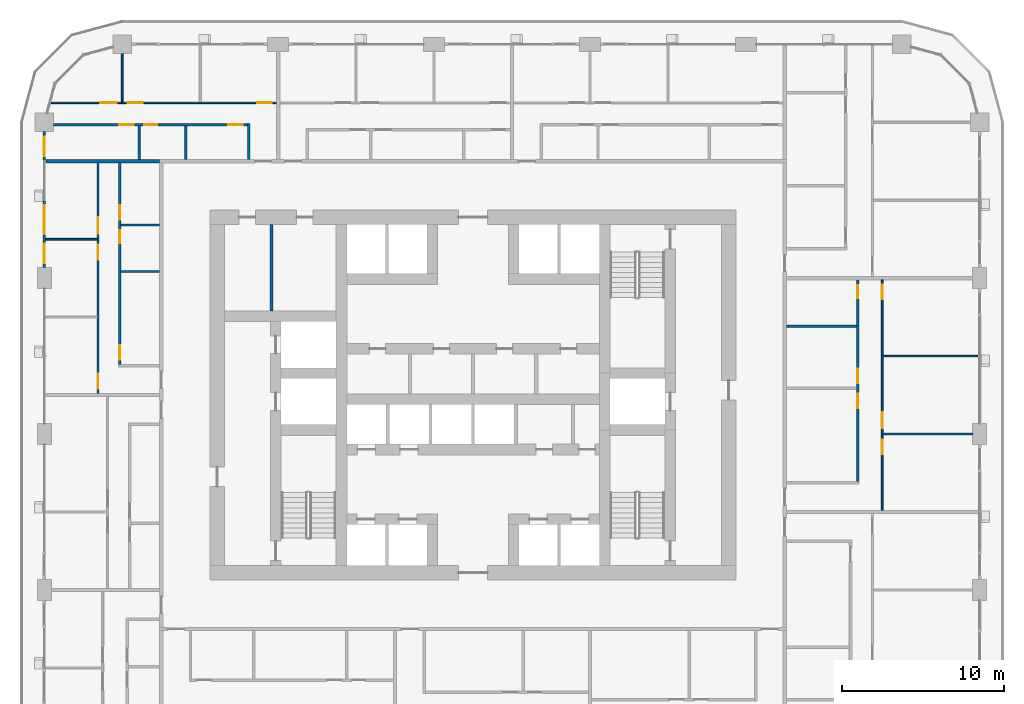
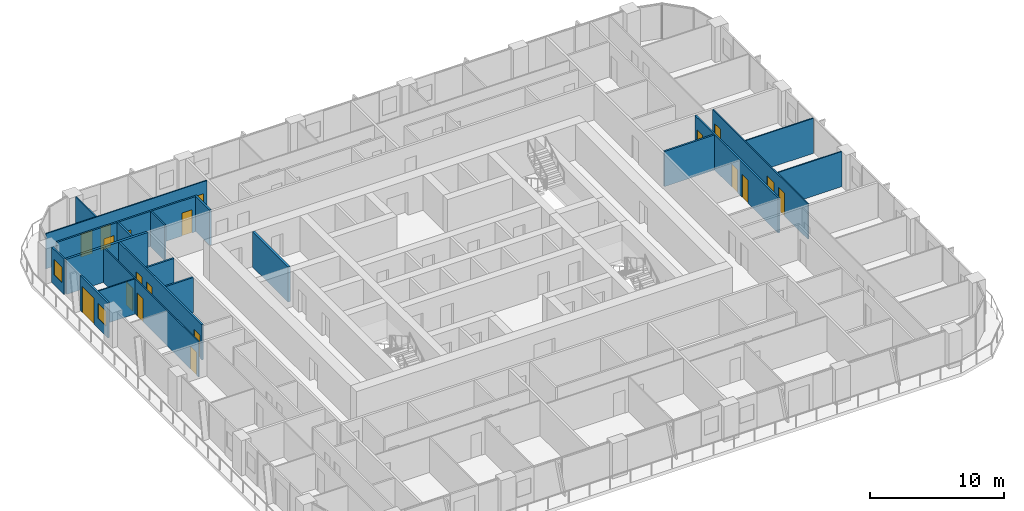
# One storey, part 13 of 22: 20 walls, 19 doors, 2 windows, 21 openings.
"""IFC4 building model written with IfcOpenShell, lengths in metres."""

from ifc_helpers import new_model, si_unit, direction, frame, frame_2d, origin, place, context, subcontext, project, spatial, rectangle, extrude, material, layer, layer_set, type_object, element, fill, save


model = new_model("IFC4")

# Units and contexts
model_context = context("Model", 3, precision=1e-05, world=origin(), true_north=direction((0.0, 1.0)))
body_context = subcontext(model_context, "Body", "Model", "MODEL_VIEW")
ifc_project = project(units=[si_unit("LENGTHUNIT", "METRE"), si_unit("AREAUNIT", "SQUARE_METRE"), si_unit("VOLUMEUNIT", "CUBIC_METRE"), si_unit("PLANEANGLEUNIT", "RADIAN"), si_unit("MASSUNIT", "GRAM", prefix="KILO")], contexts=[model_context])

# Site, building, storey
site_placement = place(None, origin())
site = spatial("IfcSite", under=ifc_project, at=site_placement, CompositionType="ELEMENT")
building_placement = place(site_placement, origin())
building = spatial("IfcBuilding", under=site, at=building_placement, Name="Madar Terraces", CompositionType="ELEMENT")
storey_placement = place(building_placement, frame((0.0, 0.0, 69.800048828125)))
storey = spatial("IfcBuildingStorey", under=building, at=storey_placement, Name="L17", CompositionType="ELEMENT", Elevation=69.800048828125)

# Wall
ifc_material_1 = material(Name="Masonry blockwork", Category="masonry")
ifc_layer_1 = layer(ifc_material_1, 0.199951171875)
ifc_layer_set_1 = layer_set([ifc_layer_1], Name="Core partition 200 blockwork")
wall_type_1 = type_object("IfcWallType", Name="Core partition 200 blockwork", PredefinedType="PARTITIONING", material=ifc_layer_set_1)
wall_1_placement = place(storey_placement, frame((18.78759765625, 31.574951171875, 0.0), z_axis=(0.0, 0.0, 1.0), x_axis=(0.0, 1.0, 0.0)))
element("IfcWall", 1, at=wall_1_placement, inside=storey, type_object=wall_type_1, Name="SERVICE ROOM PARTITION", PredefinedType="PARTITIONING", context=body_context, shape_type="SweptSolid", body=[
    extrude(rectangle(XDim=5.324951171875, YDim=0.199951171875, at=frame_2d((2.66259765625, 0.0))), origin(), (0.0, 0.0, 1.0), 3.199951171875),
])

# Wall, opening, window
ifc_material_2 = material(Name="Aluminium composite panel, black, over insulated backing", Category="aluminium")
ifc_layer_2 = layer(ifc_material_2, 0.14990234375)
ifc_layer_set_2 = layer_set([ifc_layer_2], Name="Facade bay panel 150")
wall_type_2 = type_object("IfcWallType", Name="Facade bay panel 150", PredefinedType="SOLIDWALL", material=ifc_layer_set_2)
wall_2_placement = place(storey_placement, frame((4.800048828125, 42.625, 0.0), z_axis=(0.0, 0.0, 1.0), x_axis=(0.0, -1.0, 0.0)))
wall_2 = element("IfcWall", 2, at=wall_2_placement, inside=storey, type_object=wall_type_2, Name="Facade bay panel", PredefinedType="SOLIDWALL", context=body_context, shape_type="SweptSolid", body=[
    extrude(rectangle(XDim=1.824951171875, YDim=0.14990234375, at=frame_2d((0.91259765625, 0.0))), origin(), (0.0, 0.0, 1.0), 3.199951171875),
])
opening_1_placement = place(wall_2_placement, frame((0.3125, 0.0, 0.89990234375)))
opening_1 = element("IfcOpeningElement", 3, at=opening_1_placement, cuts=wall_2, Name="Opening W1", PredefinedType="OPENING", context=body_context, shape_type="SweptSolid", body=[
    extrude(rectangle(XDim=1.199951171875, YDim=1.39990234375, at=frame_2d((0.60009765625, 0.699951171875))), frame((0.0, 0.0849609375, 0.0), z_axis=(0.0, -1.0, 0.0), x_axis=(1.0, 0.0, 0.0)), (0.0, 0.0, 1.0), 0.169921875),
])
ifc_material_3 = material(Name="Glass, clear, with black aluminium frame", Category="aluminium")
window_type = type_object("IfcWindowType", Name="Vent window 1200 x 1400", PartitioningType="SINGLE_PANEL", PredefinedType="WINDOW", material=ifc_material_3)
window_1_placement = place(opening_1_placement, origin())
window_1 = element("IfcWindow", 4, at=window_1_placement, inside=storey, type_object=window_type, Name="Operable vent window", OverallHeight=1.39990234375, OverallWidth=1.199951171875, PartitioningType="SINGLE_PANEL", PredefinedType="WINDOW", context=body_context, shape_type="SweptSolid", body=[
    extrude(rectangle(XDim=1.199951171875, YDim=1.39990234375, at=frame_2d((0.60009765625, 0.699951171875))), frame((0.0, 0.030029296875, 0.0), z_axis=(0.0, -1.0, 0.0), x_axis=(1.0, 0.0, 0.0)), (0.0, 0.0, 1.0), 0.06005859375),
])
fill(opening_1, window_1)

# Wall, openings, door, window
wall_3_placement = place(storey_placement, frame((4.800048828125, 38.39990234375, 0.0), z_axis=(0.0, 0.0, 1.0), x_axis=(0.0, -1.0, 0.0)))
wall_3 = element("IfcWall", 5, at=wall_3_placement, inside=storey, type_object=wall_type_2, Name="Facade bay panel", PredefinedType="SOLIDWALL", context=body_context, shape_type="SweptSolid", body=[
    extrude(rectangle(XDim=4.14990234375, YDim=0.14990234375, at=frame_2d((2.074951171875, 0.0))), origin(), (0.0, 0.0, 1.0), 3.199951171875),
])
opening_2_placement = place(wall_3_placement, frame((0.300048828125, 0.0, 0.0)))
opening_2 = element("IfcOpeningElement", 6, at=opening_2_placement, cuts=wall_3, Name="Opening ED1", PredefinedType="OPENING", context=body_context, shape_type="SweptSolid", body=[
    extrude(rectangle(XDim=1.800048828125, YDim=2.39990234375, at=frame_2d((0.89990234375, 1.199951171875))), frame((0.0, 0.0849609375, 0.0), z_axis=(0.0, -1.0, 0.0), x_axis=(1.0, 0.0, 0.0)), (0.0, 0.0, 1.0), 0.169921875),
])
opening_3_placement = place(wall_3_placement, frame((2.675048828125, 0.0, 0.89990234375)))
opening_3 = element("IfcOpeningElement", 7, at=opening_3_placement, cuts=wall_3, Name="Opening W1", PredefinedType="OPENING", context=body_context, shape_type="SweptSolid", body=[
    extrude(rectangle(XDim=1.199951171875, YDim=1.39990234375, at=frame_2d((0.60009765625, 0.699951171875))), frame((0.0, 0.0849609375, 0.0), z_axis=(0.0, -1.0, 0.0), x_axis=(1.0, 0.0, 0.0)), (0.0, 0.0, 1.0), 0.169921875),
])
ifc_material_4 = material(Name="Glass, clear, with black aluminium frame", Category="aluminium")
door_type_1 = type_object("IfcDoorType", Name="Balcony and terrace sliding door 1800 x 2400", OperationType="SLIDING_TO_LEFT", PredefinedType="DOOR", material=ifc_material_4)
door_1_placement = place(opening_2_placement, origin())
door_1 = element("IfcDoor", 8, at=door_1_placement, inside=storey, type_object=door_type_1, Name="Balcony door", OperationType="SLIDING_TO_RIGHT", OverallHeight=2.39990234375, OverallWidth=1.800048828125, PredefinedType="DOOR", context=body_context, shape_type="SweptSolid", body=[
    extrude(rectangle(XDim=1.800048828125, YDim=2.39990234375, at=frame_2d((0.89990234375, 1.199951171875))), frame((0.0, 0.02490234375, 0.0), z_axis=(0.0, -1.0, 0.0), x_axis=(1.0, 0.0, 0.0)), (0.0, 0.0, 1.0), 0.050048828125),
])
fill(opening_2, door_1)
window_2_placement = place(opening_3_placement, origin())
window_2 = element("IfcWindow", 9, at=window_2_placement, inside=storey, type_object=window_type, Name="Operable vent window", OverallHeight=1.39990234375, OverallWidth=1.199951171875, PartitioningType="SINGLE_PANEL", PredefinedType="WINDOW", context=body_context, shape_type="SweptSolid", body=[
    extrude(rectangle(XDim=1.199951171875, YDim=1.39990234375, at=frame_2d((0.60009765625, 0.699951171875))), frame((0.0, 0.030029296875, 0.0), z_axis=(0.0, -1.0, 0.0), x_axis=(1.0, 0.0, 0.0)), (0.0, 0.0, 1.0), 0.06005859375),
])
fill(opening_3, window_2)

# Walls
ifc_material_5 = material(Name="Gypsum board on steel studs", Category="steel")
ifc_layer_3 = layer(ifc_material_5, 0.10009765625)
ifc_layer_set_3 = layer_set([ifc_layer_3], Name="Flat partition 100")
wall_type_3 = type_object("IfcWallType", Name="Flat partition 100", PredefinedType="PARTITIONING", material=ifc_layer_set_3)
wall_4_placement = place(storey_placement, frame((56.449951171875, 24.0, 0.0), z_axis=(0.0, 0.0, 1.0), x_axis=(1.0, 0.0, 0.0)))
element("IfcWall", 10, at=wall_4_placement, inside=storey, type_object=wall_type_3, Name="Flat partition 100", PredefinedType="PARTITIONING", context=body_context, shape_type="SweptSolid", body=[
    extrude(rectangle(XDim=5.525146484375, YDim=0.10009765625, at=frame_2d((2.7626953125, 0.0))), origin(), (0.0, 0.0, 1.0), 3.199951171875),
])
wall_5_placement = place(storey_placement, frame((56.449951171875, 28.800048828125, 0.0), z_axis=(0.0, 0.0, 1.0), x_axis=(1.0, 0.0, 0.0)))
element("IfcWall", 11, at=wall_5_placement, inside=storey, type_object=wall_type_3, Name="Flat partition 100", PredefinedType="PARTITIONING", context=body_context, shape_type="SweptSolid", body=[
    extrude(rectangle(XDim=5.85009765625, YDim=0.10009765625, at=frame_2d((2.925048828125, 0.0))), origin(), (0.0, 0.0, 1.0), 3.199951171875),
])

# Wall, openings, doors
wall_6_placement = place(storey_placement, frame((56.39990234375, 33.5, 0.0), z_axis=(0.0, 0.0, 1.0), x_axis=(0.0, -1.0, 0.0)))
wall_6 = element("IfcWall", 12, at=wall_6_placement, inside=storey, type_object=wall_type_3, Name="Flat partition 100", PredefinedType="PARTITIONING", context=body_context, shape_type="SweptSolid", body=[
    extrude(rectangle(XDim=14.199951171875, YDim=0.10009765625, at=frame_2d((7.10009765625, 0.0))), origin(), (0.0, 0.0, 1.0), 3.199951171875),
])
opening_4_placement = place(wall_6_placement, frame((9.85009765625, 0.0, 0.0)))
opening_4 = element("IfcOpeningElement", 13, at=opening_4_placement, cuts=wall_6, Name="Opening D2", PredefinedType="OPENING", context=body_context, shape_type="SweptSolid", body=[
    extrude(rectangle(XDim=0.89990234375, YDim=2.10009765625, at=frame_2d((0.449951171875, 1.050048828125))), frame((0.0, 0.06005859375, 0.0), z_axis=(0.0, -1.0, 0.0), x_axis=(1.0, 0.0, 0.0)), (0.0, 0.0, 1.0), 0.1201171875),
])
opening_5_placement = place(wall_6_placement, frame((8.14990234375, 0.0, 0.0)))
opening_5 = element("IfcOpeningElement", 14, at=opening_5_placement, cuts=wall_6, Name="Opening D3", PredefinedType="OPENING", context=body_context, shape_type="SweptSolid", body=[
    extrude(rectangle(XDim=1.0, YDim=2.10009765625, at=frame_2d((0.5, 1.050048828125))), frame((0.0, 0.06005859375, 0.0), z_axis=(0.0, -1.0, 0.0), x_axis=(1.0, 0.0, 0.0)), (0.0, 0.0, 1.0), 0.1201171875),
])
opening_6_placement = place(wall_6_placement, frame((0.300048828125, 0.0, 0.0)))
opening_6 = element("IfcOpeningElement", 15, at=opening_6_placement, cuts=wall_6, Name="Opening D2", PredefinedType="OPENING", context=body_context, shape_type="SweptSolid", body=[
    extrude(rectangle(XDim=0.89990234375, YDim=2.10009765625, at=frame_2d((0.449951171875, 1.050048828125))), frame((0.0, 0.06005859375, 0.0), z_axis=(0.0, -1.0, 0.0), x_axis=(1.0, 0.0, 0.0)), (0.0, 0.0, 1.0), 0.1201171875),
])
ifc_material_6 = material(Name="Timber door leaf", Category="wood")
door_type_2 = type_object("IfcDoorType", Name="Flat living room door 1000", OperationType="NOTDEFINED", PredefinedType="DOOR", material=ifc_material_6)
door_2_placement = place(opening_5_placement, origin())
door_2 = element("IfcDoor", 16, at=door_2_placement, inside=storey, type_object=door_type_2, Name="Flat living room door 1000", OperationType="SINGLE_SWING_RIGHT", OverallHeight=2.10009765625, OverallWidth=1.0, PredefinedType="DOOR", context=body_context, shape_type="SweptSolid", body=[
    extrude(rectangle(XDim=1.0, YDim=2.10009765625, at=frame_2d((0.5, 1.050048828125))), frame((0.0, 0.02490234375, 0.0), z_axis=(0.0, -1.0, 0.0), x_axis=(1.0, 0.0, 0.0)), (0.0, 0.0, 1.0), 0.050048828125),
])
fill(opening_5, door_2)
ifc_material_7 = material(Name="Timber door leaf", Category="wood")
door_type_3 = type_object("IfcDoorType", Name="Flat room door 900", OperationType="NOTDEFINED", PredefinedType="DOOR", material=ifc_material_7)
door_3_placement = place(opening_4_placement, origin())
door_3 = element("IfcDoor", 17, at=door_3_placement, inside=storey, type_object=door_type_3, Name="Flat room door 900", OperationType="SINGLE_SWING_LEFT", OverallHeight=2.10009765625, OverallWidth=0.89990234375, PredefinedType="DOOR", context=body_context, shape_type="SweptSolid", body=[
    extrude(rectangle(XDim=0.89990234375, YDim=2.10009765625, at=frame_2d((0.449951171875, 1.050048828125))), frame((0.0, 0.02490234375, 0.0), z_axis=(0.0, -1.0, 0.0), x_axis=(1.0, 0.0, 0.0)), (0.0, 0.0, 1.0), 0.050048828125),
])
fill(opening_4, door_3)
door_4_placement = place(opening_6_placement, origin())
door_4 = element("IfcDoor", 18, at=door_4_placement, inside=storey, type_object=door_type_3, Name="Flat room door 900", OperationType="SINGLE_SWING_LEFT", OverallHeight=2.10009765625, OverallWidth=0.89990234375, PredefinedType="DOOR", context=body_context, shape_type="SweptSolid", body=[
    extrude(rectangle(XDim=0.89990234375, YDim=2.10009765625, at=frame_2d((0.449951171875, 1.050048828125))), frame((0.0, 0.02490234375, 0.0), z_axis=(0.0, -1.0, 0.0), x_axis=(1.0, 0.0, 0.0)), (0.0, 0.0, 1.0), 0.050048828125),
])
fill(opening_6, door_4)

# Wall
wall_7_placement = place(storey_placement, frame((9.60009765625, 44.449951171875, 0.0), z_axis=(0.0, 0.0, 1.0), x_axis=(0.0, 1.0, 0.0)))
element("IfcWall", 19, at=wall_7_placement, inside=storey, type_object=wall_type_3, Name="Flat partition 100", PredefinedType="PARTITIONING", context=body_context, shape_type="SweptSolid", body=[
    extrude(rectangle(XDim=2.97509765625, YDim=0.10009765625, at=frame_2d((1.487548828125, 0.0))), origin(), (0.0, 0.0, 1.0), 3.199951171875),
])

# Wall, openings, doors
wall_8_placement = place(storey_placement, frame((5.221435546875, 44.39990234375, 0.0), z_axis=(0.0, 0.0, 1.0), x_axis=(1.0, 0.0, 0.0)))
wall_8 = element("IfcWall", 20, at=wall_8_placement, inside=storey, type_object=wall_type_3, Name="Flat partition 100", PredefinedType="PARTITIONING", context=body_context, shape_type="SweptSolid", body=[
    extrude(rectangle(XDim=13.878662109375, YDim=0.10009765625, at=frame_2d((6.939453125, 0.0))), origin(), (0.0, 0.0, 1.0), 3.199951171875),
])
opening_7_placement = place(wall_8_placement, frame((12.678466796875, 0.0, 0.0)))
opening_7 = element("IfcOpeningElement", 21, at=opening_7_placement, cuts=wall_8, Name="Opening D2", PredefinedType="OPENING", context=body_context, shape_type="SweptSolid", body=[
    extrude(rectangle(XDim=0.89990234375, YDim=2.10009765625, at=frame_2d((0.449951171875, 1.050048828125))), frame((0.0, 0.06005859375, 0.0), z_axis=(0.0, -1.0, 0.0), x_axis=(1.0, 0.0, 0.0)), (0.0, 0.0, 1.0), 0.1201171875),
])
opening_8_placement = place(wall_8_placement, frame((4.728515625, 0.0, 0.0)))
opening_8 = element("IfcOpeningElement", 22, at=opening_8_placement, cuts=wall_8, Name="Opening D2", PredefinedType="OPENING", context=body_context, shape_type="SweptSolid", body=[
    extrude(rectangle(XDim=0.89990234375, YDim=2.10009765625, at=frame_2d((0.449951171875, 1.050048828125))), frame((0.0, 0.06005859375, 0.0), z_axis=(0.0, -1.0, 0.0), x_axis=(1.0, 0.0, 0.0)), (0.0, 0.0, 1.0), 0.1201171875),
])
opening_9_placement = place(wall_8_placement, frame((3.028564453125, 0.0, 0.0)))
opening_9 = element("IfcOpeningElement", 23, at=opening_9_placement, cuts=wall_8, Name="Opening D3", PredefinedType="OPENING", context=body_context, shape_type="SweptSolid", body=[
    extrude(rectangle(XDim=1.0, YDim=2.10009765625, at=frame_2d((0.5, 1.050048828125))), frame((0.0, 0.06005859375, 0.0), z_axis=(0.0, -1.0, 0.0), x_axis=(1.0, 0.0, 0.0)), (0.0, 0.0, 1.0), 0.1201171875),
])
door_5_placement = place(opening_9_placement, origin())
door_5 = element("IfcDoor", 24, at=door_5_placement, inside=storey, type_object=door_type_2, Name="Flat living room door 1000", OperationType="SINGLE_SWING_RIGHT", OverallHeight=2.10009765625, OverallWidth=1.0, PredefinedType="DOOR", context=body_context, shape_type="SweptSolid", body=[
    extrude(rectangle(XDim=1.0, YDim=2.10009765625, at=frame_2d((0.5, 1.050048828125))), frame((0.0, 0.02490234375, 0.0), z_axis=(0.0, -1.0, 0.0), x_axis=(1.0, 0.0, 0.0)), (0.0, 0.0, 1.0), 0.050048828125),
])
fill(opening_9, door_5)
door_6_placement = place(opening_7_placement, origin())
door_6 = element("IfcDoor", 25, at=door_6_placement, inside=storey, type_object=door_type_3, Name="Flat room door 900", OperationType="SINGLE_SWING_RIGHT", OverallHeight=2.10009765625, OverallWidth=0.89990234375, PredefinedType="DOOR", context=body_context, shape_type="SweptSolid", body=[
    extrude(rectangle(XDim=0.89990234375, YDim=2.10009765625, at=frame_2d((0.449951171875, 1.050048828125))), frame((0.0, 0.02490234375, 0.0), z_axis=(0.0, -1.0, 0.0), x_axis=(1.0, 0.0, 0.0)), (0.0, 0.0, 1.0), 0.050048828125),
])
fill(opening_7, door_6)
door_7_placement = place(opening_8_placement, origin())
door_7 = element("IfcDoor", 26, at=door_7_placement, inside=storey, type_object=door_type_3, Name="Flat room door 900", OperationType="SINGLE_SWING_LEFT", OverallHeight=2.10009765625, OverallWidth=0.89990234375, PredefinedType="DOOR", context=body_context, shape_type="SweptSolid", body=[
    extrude(rectangle(XDim=0.89990234375, YDim=2.10009765625, at=frame_2d((0.449951171875, 1.050048828125))), frame((0.0, 0.02490234375, 0.0), z_axis=(0.0, -1.0, 0.0), x_axis=(1.0, 0.0, 0.0)), (0.0, 0.0, 1.0), 0.050048828125),
])
fill(opening_8, door_7)

# Wall
wall_9_placement = place(storey_placement, frame((8.050048828125, 36.0, 0.0), z_axis=(0.0, 0.0, 1.0), x_axis=(-1.0, 0.0, 0.0)))
element("IfcWall", 27, at=wall_9_placement, inside=storey, type_object=wall_type_3, Name="Flat partition 100", PredefinedType="PARTITIONING", context=body_context, shape_type="SweptSolid", body=[
    extrude(rectangle(XDim=3.150146484375, YDim=0.10009765625, at=frame_2d((1.5751953125, 0.0))), origin(), (0.0, 0.0, 1.0), 3.199951171875),
])

# Wall, openings, doors
wall_10_placement = place(storey_placement, frame((8.10009765625, 26.5, 0.0), z_axis=(0.0, 0.0, 1.0), x_axis=(0.0, 1.0, 0.0)))
wall_10 = element("IfcWall", 28, at=wall_10_placement, inside=storey, type_object=wall_type_3, Name="Flat partition 100", PredefinedType="PARTITIONING", context=body_context, shape_type="SweptSolid", body=[
    extrude(rectangle(XDim=14.199951171875, YDim=0.10009765625, at=frame_2d((7.10009765625, 0.0))), origin(), (0.0, 0.0, 1.0), 3.199951171875),
])
opening_10_placement = place(wall_10_placement, frame((0.300048828125, 0.0, 0.0)))
opening_10 = element("IfcOpeningElement", 29, at=opening_10_placement, cuts=wall_10, Name="Opening D2", PredefinedType="OPENING", context=body_context, shape_type="SweptSolid", body=[
    extrude(rectangle(XDim=0.89990234375, YDim=2.10009765625, at=frame_2d((0.449951171875, 1.050048828125))), frame((0.0, 0.06005859375, 0.0), z_axis=(0.0, -1.0, 0.0), x_axis=(1.0, 0.0, 0.0)), (0.0, 0.0, 1.0), 0.1201171875),
])
opening_11_placement = place(wall_10_placement, frame((8.25, 0.0, 0.0)))
opening_11 = element("IfcOpeningElement", 30, at=opening_11_placement, cuts=wall_10, Name="Opening D2", PredefinedType="OPENING", context=body_context, shape_type="SweptSolid", body=[
    extrude(rectangle(XDim=0.89990234375, YDim=2.10009765625, at=frame_2d((0.449951171875, 1.050048828125))), frame((0.0, 0.06005859375, 0.0), z_axis=(0.0, -1.0, 0.0), x_axis=(1.0, 0.0, 0.0)), (0.0, 0.0, 1.0), 0.1201171875),
])
opening_12_placement = place(wall_10_placement, frame((9.85009765625, 0.0, 0.0)))
opening_12 = element("IfcOpeningElement", 31, at=opening_12_placement, cuts=wall_10, Name="Opening D3", PredefinedType="OPENING", context=body_context, shape_type="SweptSolid", body=[
    extrude(rectangle(XDim=1.0, YDim=2.10009765625, at=frame_2d((0.5, 1.050048828125))), frame((0.0, 0.06005859375, 0.0), z_axis=(0.0, -1.0, 0.0), x_axis=(1.0, 0.0, 0.0)), (0.0, 0.0, 1.0), 0.1201171875),
])
door_8_placement = place(opening_12_placement, origin())
door_8 = element("IfcDoor", 32, at=door_8_placement, inside=storey, type_object=door_type_2, Name="Flat living room door 1000", OperationType="SINGLE_SWING_LEFT", OverallHeight=2.10009765625, OverallWidth=1.0, PredefinedType="DOOR", context=body_context, shape_type="SweptSolid", body=[
    extrude(rectangle(XDim=1.0, YDim=2.10009765625, at=frame_2d((0.5, 1.050048828125))), frame((0.0, 0.02490234375, 0.0), z_axis=(0.0, -1.0, 0.0), x_axis=(1.0, 0.0, 0.0)), (0.0, 0.0, 1.0), 0.050048828125),
])
fill(opening_12, door_8)
door_9_placement = place(opening_10_placement, origin())
door_9 = element("IfcDoor", 33, at=door_9_placement, inside=storey, type_object=door_type_3, Name="Flat room door 900", OperationType="SINGLE_SWING_LEFT", OverallHeight=2.10009765625, OverallWidth=0.89990234375, PredefinedType="DOOR", context=body_context, shape_type="SweptSolid", body=[
    extrude(rectangle(XDim=0.89990234375, YDim=2.10009765625, at=frame_2d((0.449951171875, 1.050048828125))), frame((0.0, 0.02490234375, 0.0), z_axis=(0.0, -1.0, 0.0), x_axis=(1.0, 0.0, 0.0)), (0.0, 0.0, 1.0), 0.050048828125),
])
fill(opening_10, door_9)
door_10_placement = place(opening_11_placement, origin())
door_10 = element("IfcDoor", 34, at=door_10_placement, inside=storey, type_object=door_type_3, Name="Flat room door 900", OperationType="SINGLE_SWING_RIGHT", OverallHeight=2.10009765625, OverallWidth=0.89990234375, PredefinedType="DOOR", context=body_context, shape_type="SweptSolid", body=[
    extrude(rectangle(XDim=0.89990234375, YDim=2.10009765625, at=frame_2d((0.449951171875, 1.050048828125))), frame((0.0, 0.02490234375, 0.0), z_axis=(0.0, -1.0, 0.0), x_axis=(1.0, 0.0, 0.0)), (0.0, 0.0, 1.0), 0.050048828125),
])
fill(opening_11, door_10)

# Walls
ifc_material_8 = material(Name="Lightweight blockwork", Category="masonry")
ifc_layer_4 = layer(ifc_material_8, 0.199951171875)
ifc_layer_set_4 = layer_set([ifc_layer_4], Name="Flat party and entrance wall 200")
wall_type_4 = type_object("IfcWallType", Name="Flat party and entrance wall 200", PredefinedType="PARTITIONING", material=ifc_layer_set_4)
wall_11_placement = place(storey_placement, frame((4.89990234375, 40.800048828125, 0.0), z_axis=(0.0, 0.0, 1.0), x_axis=(1.0, 0.0, 0.0)))
element("IfcWall", 35, at=wall_11_placement, inside=storey, type_object=wall_type_4, Name="Flat party and entrance wall 200", PredefinedType="PARTITIONING", context=body_context, shape_type="SweptSolid", body=[
    extrude(rectangle(XDim=7.0, YDim=0.199951171875, at=frame_2d((3.5, 0.0))), origin(), (0.0, 0.0, 1.0), 3.199951171875),
])
ifc_material_9 = material(Name="Lightweight blockwork", Category="masonry")
ifc_layer_5 = layer(ifc_material_9, 0.14990234375)
ifc_layer_set_5 = layer_set([ifc_layer_5], Name="Flat wet-room partition 150")
wall_type_5 = type_object("IfcWallType", Name="Flat wet-room partition 150", PredefinedType="PARTITIONING", material=ifc_layer_set_5)
wall_12_placement = place(storey_placement, frame((50.5, 30.6328125, 0.0), z_axis=(0.0, 0.0, 1.0), x_axis=(1.0, 0.0, 0.0)))
element("IfcWall", 36, at=wall_12_placement, inside=storey, type_object=wall_type_5, Name="Flat wet-room partition 150", PredefinedType="PARTITIONING", context=body_context, shape_type="SweptSolid", body=[
    extrude(rectangle(XDim=4.324951171875, YDim=0.14990234375, at=frame_2d((2.16259765625, 0.0))), origin(), (0.0, 0.0, 1.0), 3.199951171875),
])

# Wall, openings, doors
wall_13_placement = place(storey_placement, frame((54.89990234375, 21.074951171875, 0.0), z_axis=(0.0, 0.0, 1.0), x_axis=(0.0, 1.0, 0.0)))
wall_13 = element("IfcWall", 37, at=wall_13_placement, inside=storey, type_object=wall_type_5, Name="Flat wet-room partition 150", PredefinedType="PARTITIONING", context=body_context, shape_type="SweptSolid", body=[
    extrude(rectangle(XDim=12.425048828125, YDim=0.14990234375, at=frame_2d((6.21240234375, 0.0))), origin(), (0.0, 0.0, 1.0), 3.199951171875),
])
opening_13_placement = place(wall_13_placement, frame((4.509521484375, 0.0, 0.0)))
opening_13 = element("IfcOpeningElement", 38, at=opening_13_placement, cuts=wall_13, Name="Opening D2", PredefinedType="OPENING", context=body_context, shape_type="SweptSolid", body=[
    extrude(rectangle(XDim=0.89990234375, YDim=2.10009765625, at=frame_2d((0.449951171875, 1.050048828125))), frame((0.0, 0.0849609375, 0.0), z_axis=(0.0, -1.0, 0.0), x_axis=(1.0, 0.0, 0.0)), (0.0, 0.0, 1.0), 0.169921875),
])
opening_14_placement = place(wall_13_placement, frame((6.0595703125, 0.0, 0.0)))
opening_14 = element("IfcOpeningElement", 39, at=opening_14_placement, cuts=wall_13, Name="Opening D5", PredefinedType="OPENING", context=body_context, shape_type="SweptSolid", body=[
    extrude(rectangle(XDim=0.89990234375, YDim=2.10009765625, at=frame_2d((0.449951171875, 1.050048828125))), frame((0.0, 0.0849609375, 0.0), z_axis=(0.0, -1.0, 0.0), x_axis=(1.0, 0.0, 0.0)), (0.0, 0.0, 1.0), 0.169921875),
])
opening_15_placement = place(wall_13_placement, frame((11.27490234375, 0.0, 0.0)))
opening_15 = element("IfcOpeningElement", 40, at=opening_15_placement, cuts=wall_13, Name="Opening D4", PredefinedType="OPENING", context=body_context, shape_type="SweptSolid", body=[
    extrude(rectangle(XDim=0.800048828125, YDim=2.10009765625, at=frame_2d((0.39990234375, 1.050048828125))), frame((0.0, 0.0849609375, 0.0), z_axis=(0.0, -1.0, 0.0), x_axis=(1.0, 0.0, 0.0)), (0.0, 0.0, 1.0), 0.169921875),
])
ifc_material_10 = material(Name="Timber door leaf", Category="wood")
door_type_4 = type_object("IfcDoorType", Name="Flat accessible bathroom door 900", OperationType="NOTDEFINED", PredefinedType="DOOR", material=ifc_material_10)
door_11_placement = place(opening_14_placement, origin())
door_11 = element("IfcDoor", 41, at=door_11_placement, inside=storey, type_object=door_type_4, Name="Flat accessible bathroom door 900", OperationType="SINGLE_SWING_LEFT", OverallHeight=2.10009765625, OverallWidth=0.89990234375, PredefinedType="DOOR", context=body_context, shape_type="SweptSolid", body=[
    extrude(rectangle(XDim=0.89990234375, YDim=2.10009765625, at=frame_2d((0.449951171875, 1.050048828125))), frame((0.0, 0.02490234375, 0.0), z_axis=(0.0, -1.0, 0.0), x_axis=(1.0, 0.0, 0.0)), (0.0, 0.0, 1.0), 0.050048828125),
])
fill(opening_14, door_11)
ifc_material_11 = material(Name="Timber door leaf", Category="wood")
door_type_5 = type_object("IfcDoorType", Name="Flat bathroom door 800", OperationType="NOTDEFINED", PredefinedType="DOOR", material=ifc_material_11)
door_12_placement = place(opening_15_placement, origin())
door_12 = element("IfcDoor", 42, at=door_12_placement, inside=storey, type_object=door_type_5, Name="Flat bathroom door 800", OperationType="SINGLE_SWING_RIGHT", OverallHeight=2.10009765625, OverallWidth=0.800048828125, PredefinedType="DOOR", context=body_context, shape_type="SweptSolid", body=[
    extrude(rectangle(XDim=0.800048828125, YDim=2.10009765625, at=frame_2d((0.39990234375, 1.050048828125))), frame((0.0, 0.02490234375, 0.0), z_axis=(0.0, -1.0, 0.0), x_axis=(1.0, 0.0, 0.0)), (0.0, 0.0, 1.0), 0.050048828125),
])
fill(opening_15, door_12)
door_13_placement = place(opening_13_placement, origin())
door_13 = element("IfcDoor", 43, at=door_13_placement, inside=storey, type_object=door_type_3, Name="Flat room door 900", OperationType="SINGLE_SWING_RIGHT", OverallHeight=2.10009765625, OverallWidth=0.89990234375, PredefinedType="DOOR", context=body_context, shape_type="SweptSolid", body=[
    extrude(rectangle(XDim=0.89990234375, YDim=2.10009765625, at=frame_2d((0.449951171875, 1.050048828125))), frame((0.0, 0.02490234375, 0.0), z_axis=(0.0, -1.0, 0.0), x_axis=(1.0, 0.0, 0.0)), (0.0, 0.0, 1.0), 0.050048828125),
])
fill(opening_13, door_13)

# Walls
for number, where, z_axis, x_axis, name in (
    (44, (13.501953125, 40.89990234375, 0.0), (0.0, 0.0, 1.0), (0.0, 1.0, 0.0), "Flat wet-room partition 150"),
    (45, (10.634521484375, 40.89990234375, 0.0), (0.0, 0.0, 1.0), (0.0, 1.0, 0.0), "Flat wet-room partition 150"),
):
    element("IfcWall", number, at=place(storey_placement, frame(where, z_axis=z_axis, x_axis=x_axis)), inside=storey, type_object=wall_type_5, Name=name, PredefinedType="PARTITIONING", context=body_context, shape_type="SweptSolid", body=[
        extrude(rectangle(XDim=2.0751953125, YDim=0.14990234375, at=frame_2d((1.03759765625, 0.0))), origin(), (0.0, 0.0, 1.0), 3.199951171875),
    ])
wall_14_placement = place(storey_placement, frame((17.39990234375, 40.89990234375, 0.0), z_axis=(0.0, 0.0, 1.0), x_axis=(0.0, 1.0, 0.0)))
element("IfcWall", 46, at=wall_14_placement, inside=storey, type_object=wall_type_5, Name="Flat wet-room partition 150", PredefinedType="PARTITIONING", context=body_context, shape_type="SweptSolid", body=[
    extrude(rectangle(XDim=2.22509765625, YDim=0.14990234375, at=frame_2d((1.112548828125, 0.0))), origin(), (0.0, 0.0, 1.0), 3.199951171875),
])

# Wall, openings, doors
wall_15_placement = place(storey_placement, frame((17.324951171875, 43.050048828125, 0.0), z_axis=(0.0, 0.0, 1.0), x_axis=(-1.0, 0.0, 0.0)))
wall_15 = element("IfcWall", 47, at=wall_15_placement, inside=storey, type_object=wall_type_5, Name="Flat wet-room partition 150", PredefinedType="PARTITIONING", context=body_context, shape_type="SweptSolid", body=[
    extrude(rectangle(XDim=11.949951171875, YDim=0.14990234375, at=frame_2d((5.97509765625, 0.0))), origin(), (0.0, 0.0, 1.0), 3.199951171875),
])
opening_16_placement = place(wall_15_placement, frame((0.300048828125, 0.0, 0.0)))
opening_16 = element("IfcOpeningElement", 48, at=opening_16_placement, cuts=wall_15, Name="Opening D5", PredefinedType="OPENING", context=body_context, shape_type="SweptSolid", body=[
    extrude(rectangle(XDim=0.89990234375, YDim=2.10009765625, at=frame_2d((0.449951171875, 1.050048828125))), frame((0.0, 0.0849609375, 0.0), z_axis=(0.0, -1.0, 0.0), x_axis=(1.0, 0.0, 0.0)), (0.0, 0.0, 1.0), 0.169921875),
])
opening_17_placement = place(wall_15_placement, frame((5.5654296875, 0.0, 0.0)))
opening_17 = element("IfcOpeningElement", 49, at=opening_17_placement, cuts=wall_15, Name="Opening D4", PredefinedType="OPENING", context=body_context, shape_type="SweptSolid", body=[
    extrude(rectangle(XDim=0.800048828125, YDim=2.10009765625, at=frame_2d((0.39990234375, 1.050048828125))), frame((0.0, 0.0849609375, 0.0), z_axis=(0.0, -1.0, 0.0), x_axis=(1.0, 0.0, 0.0)), (0.0, 0.0, 1.0), 0.169921875),
])
opening_18_placement = place(wall_15_placement, frame((7.015380859375, 0.0, 0.0)))
opening_18 = element("IfcOpeningElement", 50, at=opening_18_placement, cuts=wall_15, Name="Opening D2", PredefinedType="OPENING", context=body_context, shape_type="SweptSolid", body=[
    extrude(rectangle(XDim=0.89990234375, YDim=2.10009765625, at=frame_2d((0.449951171875, 1.050048828125))), frame((0.0, 0.0849609375, 0.0), z_axis=(0.0, -1.0, 0.0), x_axis=(1.0, 0.0, 0.0)), (0.0, 0.0, 1.0), 0.169921875),
])
door_14_placement = place(opening_16_placement, origin())
door_14 = element("IfcDoor", 51, at=door_14_placement, inside=storey, type_object=door_type_4, Name="Flat accessible bathroom door 900", OperationType="SINGLE_SWING_LEFT", OverallHeight=2.10009765625, OverallWidth=0.89990234375, PredefinedType="DOOR", context=body_context, shape_type="SweptSolid", body=[
    extrude(rectangle(XDim=0.89990234375, YDim=2.10009765625, at=frame_2d((0.449951171875, 1.050048828125))), frame((0.0, 0.02490234375, 0.0), z_axis=(0.0, -1.0, 0.0), x_axis=(1.0, 0.0, 0.0)), (0.0, 0.0, 1.0), 0.050048828125),
])
fill(opening_16, door_14)
door_15_placement = place(opening_17_placement, origin())
door_15 = element("IfcDoor", 52, at=door_15_placement, inside=storey, type_object=door_type_5, Name="Flat bathroom door 800", OperationType="SINGLE_SWING_RIGHT", OverallHeight=2.10009765625, OverallWidth=0.800048828125, PredefinedType="DOOR", context=body_context, shape_type="SweptSolid", body=[
    extrude(rectangle(XDim=0.800048828125, YDim=2.10009765625, at=frame_2d((0.39990234375, 1.050048828125))), frame((0.0, 0.02490234375, 0.0), z_axis=(0.0, -1.0, 0.0), x_axis=(1.0, 0.0, 0.0)), (0.0, 0.0, 1.0), 0.050048828125),
])
fill(opening_17, door_15)
door_16_placement = place(opening_18_placement, origin())
door_16 = element("IfcDoor", 53, at=door_16_placement, inside=storey, type_object=door_type_3, Name="Flat room door 900", OperationType="SINGLE_SWING_LEFT", OverallHeight=2.10009765625, OverallWidth=0.89990234375, PredefinedType="DOOR", context=body_context, shape_type="SweptSolid", body=[
    extrude(rectangle(XDim=0.89990234375, YDim=2.10009765625, at=frame_2d((0.449951171875, 1.050048828125))), frame((0.0, 0.02490234375, 0.0), z_axis=(0.0, -1.0, 0.0), x_axis=(1.0, 0.0, 0.0)), (0.0, 0.0, 1.0), 0.050048828125),
])
fill(opening_18, door_16)

# Walls
for number, where, z_axis, x_axis, name in (
    (54, (11.89990234375, 34.009521484375, 0.0), (0.0, 0.0, 1.0), (-1.0, 0.0, 0.0), "Flat wet-room partition 150"),
    (55, (11.89990234375, 36.876953125, 0.0), (0.0, 0.0, 1.0), (-1.0, 0.0, 0.0), "Flat wet-room partition 150"),
):
    element("IfcWall", number, at=place(storey_placement, frame(where, z_axis=z_axis, x_axis=x_axis)), inside=storey, type_object=wall_type_5, Name=name, PredefinedType="PARTITIONING", context=body_context, shape_type="SweptSolid", body=[
        extrude(rectangle(XDim=2.375, YDim=0.14990234375, at=frame_2d((1.1875, 0.0))), origin(), (0.0, 0.0, 1.0), 3.199951171875),
    ])

# Wall, openings, doors
wall_16_placement = place(storey_placement, frame((9.449951171875, 40.699951171875, 0.0), z_axis=(0.0, 0.0, 1.0), x_axis=(0.0, -1.0, 0.0)))
wall_16 = element("IfcWall", 56, at=wall_16_placement, inside=storey, type_object=wall_type_5, Name="Flat wet-room partition 150", PredefinedType="PARTITIONING", context=body_context, shape_type="SweptSolid", body=[
    extrude(rectangle(XDim=12.425048828125, YDim=0.14990234375, at=frame_2d((6.21240234375, 0.0))), origin(), (0.0, 0.0, 1.0), 3.199951171875),
])
opening_19_placement = place(wall_16_placement, frame((11.22509765625, 0.0, 0.0)))
opening_19 = element("IfcOpeningElement", 57, at=opening_19_placement, cuts=wall_16, Name="Opening D2", PredefinedType="OPENING", context=body_context, shape_type="SweptSolid", body=[
    extrude(rectangle(XDim=0.89990234375, YDim=2.10009765625, at=frame_2d((0.449951171875, 1.050048828125))), frame((0.0, 0.0849609375, 0.0), z_axis=(0.0, -1.0, 0.0), x_axis=(1.0, 0.0, 0.0)), (0.0, 0.0, 1.0), 0.169921875),
])
opening_20_placement = place(wall_16_placement, frame((4.148193359375, 0.0, 0.0)))
opening_20 = element("IfcOpeningElement", 58, at=opening_20_placement, cuts=wall_16, Name="Opening D4", PredefinedType="OPENING", context=body_context, shape_type="SweptSolid", body=[
    extrude(rectangle(XDim=0.800048828125, YDim=2.10009765625, at=frame_2d((0.39990234375, 1.050048828125))), frame((0.0, 0.0849609375, 0.0), z_axis=(0.0, -1.0, 0.0), x_axis=(1.0, 0.0, 0.0)), (0.0, 0.0, 1.0), 0.169921875),
])
opening_21_placement = place(wall_16_placement, frame((2.59814453125, 0.0, 0.0)))
opening_21 = element("IfcOpeningElement", 59, at=opening_21_placement, cuts=wall_16, Name="Opening D5", PredefinedType="OPENING", context=body_context, shape_type="SweptSolid", body=[
    extrude(rectangle(XDim=0.89990234375, YDim=2.10009765625, at=frame_2d((0.449951171875, 1.050048828125))), frame((0.0, 0.0849609375, 0.0), z_axis=(0.0, -1.0, 0.0), x_axis=(1.0, 0.0, 0.0)), (0.0, 0.0, 1.0), 0.169921875),
])
door_17_placement = place(opening_21_placement, origin())
door_17 = element("IfcDoor", 60, at=door_17_placement, inside=storey, type_object=door_type_4, Name="Flat accessible bathroom door 900", OperationType="SINGLE_SWING_RIGHT", OverallHeight=2.10009765625, OverallWidth=0.89990234375, PredefinedType="DOOR", context=body_context, shape_type="SweptSolid", body=[
    extrude(rectangle(XDim=0.89990234375, YDim=2.10009765625, at=frame_2d((0.449951171875, 1.050048828125))), frame((0.0, 0.02490234375, 0.0), z_axis=(0.0, -1.0, 0.0), x_axis=(1.0, 0.0, 0.0)), (0.0, 0.0, 1.0), 0.050048828125),
])
fill(opening_21, door_17)
door_18_placement = place(opening_20_placement, origin())
door_18 = element("IfcDoor", 61, at=door_18_placement, inside=storey, type_object=door_type_5, Name="Flat bathroom door 800", OperationType="SINGLE_SWING_LEFT", OverallHeight=2.10009765625, OverallWidth=0.800048828125, PredefinedType="DOOR", context=body_context, shape_type="SweptSolid", body=[
    extrude(rectangle(XDim=0.800048828125, YDim=2.10009765625, at=frame_2d((0.39990234375, 1.050048828125))), frame((0.0, 0.02490234375, 0.0), z_axis=(0.0, -1.0, 0.0), x_axis=(1.0, 0.0, 0.0)), (0.0, 0.0, 1.0), 0.050048828125),
])
fill(opening_20, door_18)
door_19_placement = place(opening_19_placement, origin())
door_19 = element("IfcDoor", 62, at=door_19_placement, inside=storey, type_object=door_type_3, Name="Flat room door 900", OperationType="SINGLE_SWING_RIGHT", OverallHeight=2.10009765625, OverallWidth=0.89990234375, PredefinedType="DOOR", context=body_context, shape_type="SweptSolid", body=[
    extrude(rectangle(XDim=0.89990234375, YDim=2.10009765625, at=frame_2d((0.449951171875, 1.050048828125))), frame((0.0, 0.02490234375, 0.0), z_axis=(0.0, -1.0, 0.0), x_axis=(1.0, 0.0, 0.0)), (0.0, 0.0, 1.0), 0.050048828125),
])
fill(opening_19, door_19)

save(model, "model.ifc")
